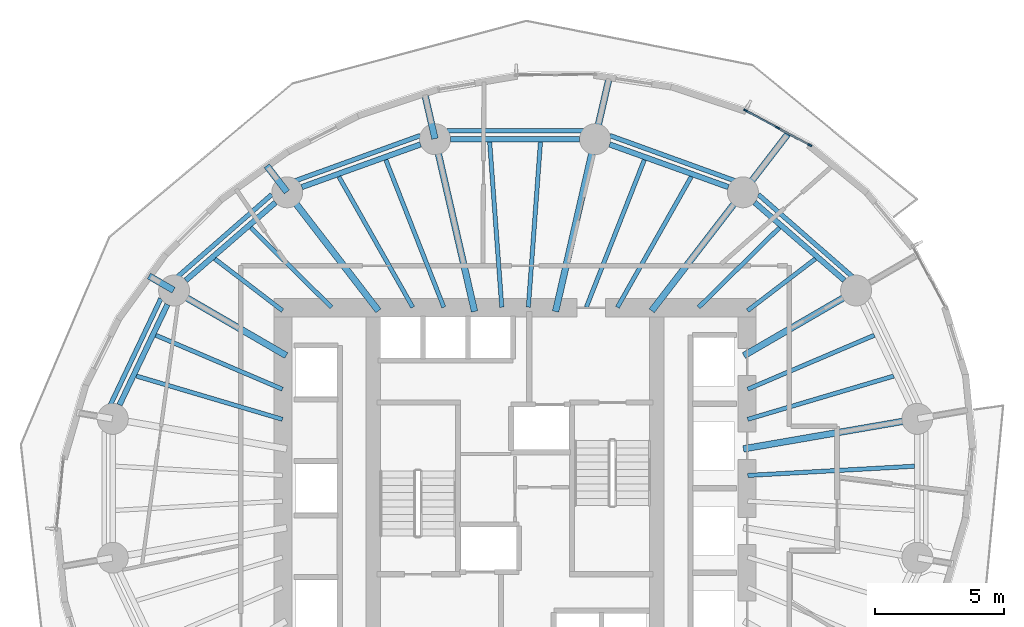
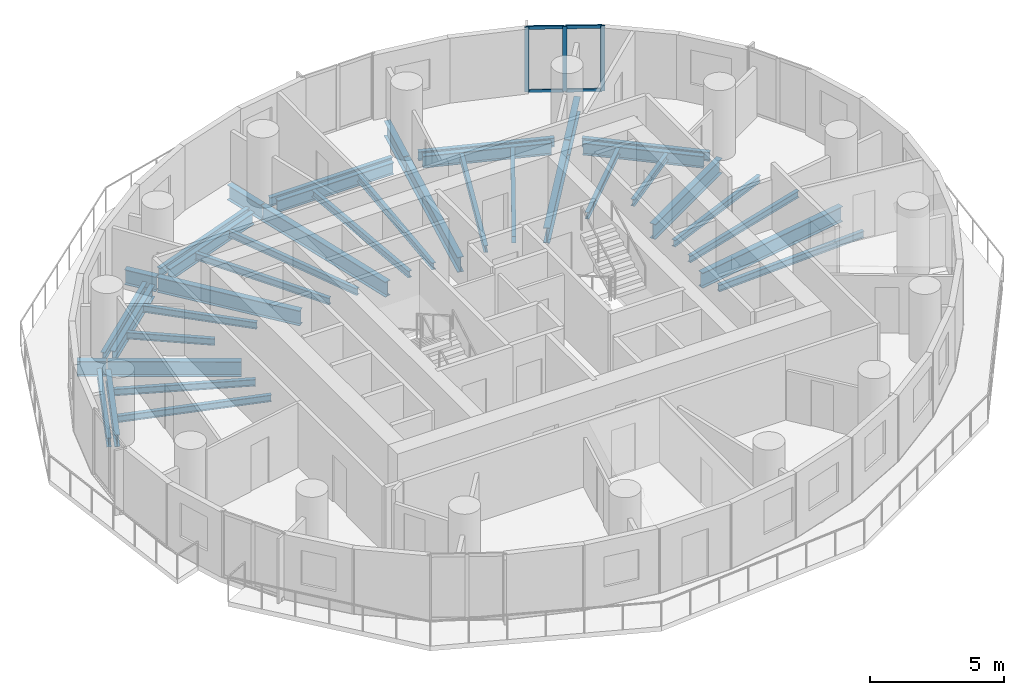
# One storey, part 4 of 14: 39 beams, 7 members, 1 element without a shape of its own.
"""IFC4 building model written with IfcOpenShell, lengths in metres."""

from ifc_helpers import new_model, si_unit, direction, frame, origin, origin_2d, place, context, subcontext, project, spatial, rectangle, i_section, extrude, material, material_profile, profile_set, type_object, element, aggregate, save


model = new_model("IFC4")

# Units and contexts
model_context = context("Model", 3, precision=1e-05, world=origin(), true_north=direction((0.0, 1.0)))
body_context = subcontext(model_context, "Body", "Model", "MODEL_VIEW")
ifc_project = project(units=[si_unit("LENGTHUNIT", "METRE"), si_unit("AREAUNIT", "SQUARE_METRE"), si_unit("VOLUMEUNIT", "CUBIC_METRE"), si_unit("PLANEANGLEUNIT", "RADIAN"), si_unit("MASSUNIT", "GRAM", prefix="KILO")], contexts=[model_context])

# Site, building, storey
site_placement = place(None, origin())
site = spatial("IfcSite", under=ifc_project, at=site_placement, CompositionType="ELEMENT")
building_placement = place(site_placement, origin())
building = spatial("IfcBuilding", under=site, at=building_placement, Name="Veldorim Arch Residences", CompositionType="ELEMENT")
storey_placement = place(building_placement, frame((0.0, 0.0, 93.280029296875)))
storey = spatial("IfcBuildingStorey", under=building, at=storey_placement, Name="L27", CompositionType="ELEMENT", Elevation=93.280029296875)

# Beams
ifc_material_1 = material(Name="Steel S355", Category="steel")
ifc_material_profile_1 = material_profile(ifc_material_1, i_section(OverallWidth=0.2119140625, OverallDepth=0.54443359375, WebThickness=0.0126953125, FlangeThickness=0.021240234375, at=origin_2d()), Name="UB533x210x122")
ifc_profile_set_1 = profile_set([ifc_material_profile_1], Name="Steel S355")
beam_type_1 = type_object("IfcBeamType", Name="Structural Steel Beam UB533x210x122", PredefinedType="BEAM", material=ifc_profile_set_1)
beam_1_placement = place(storey_placement, frame((44.767333984375, 32.060302734375, -0.51220703125), z_axis=(-0.755244952556, 0.655442645576, 0.0), x_axis=(-0.655442645576, -0.755244952556, 0.0)))
element("IfcBeam", 1, at=beam_1_placement, inside=storey, type_object=beam_type_1, Name="L27 perimeter ring tie beam 02", PredefinedType="BEAM", context=body_context, shape_type="SweptSolid", body=[
    extrude(i_section(OverallWidth=0.2119140625, OverallDepth=0.54443359375, WebThickness=0.0126953125, FlangeThickness=0.021240234375, at=origin_2d()), origin(), (0.0, 0.0, 1.0), 4.608642578125),
])
beam_2_placement = place(storey_placement, frame((40.26904296875, 35.67724609375, -0.51220703125), z_axis=(-0.941041944493, 0.338289903343, 0.0), x_axis=(-0.338289903343, -0.941041944493, 0.0)))
element("IfcBeam", 2, at=beam_2_placement, inside=storey, type_object=beam_type_1, Name="L27 perimeter ring tie beam 03", PredefinedType="BEAM", context=body_context, shape_type="SweptSolid", body=[
    extrude(i_section(OverallWidth=0.2119140625, OverallDepth=0.54443359375, WebThickness=0.0126953125, FlangeThickness=0.021240234375, at=origin_2d()), origin(), (0.0, 0.0, 1.0), 4.890869140625),
])
beam_3_placement = place(storey_placement, frame((34.501953125, 37.534912109375, -0.51220703125), z_axis=(-1.0, 0.0, 0.0), x_axis=(0.0, -1.0, 0.0)))
element("IfcBeam", 3, at=beam_3_placement, inside=storey, type_object=beam_type_1, Name="L27 perimeter ring tie beam 04", PredefinedType="BEAM", context=body_context, shape_type="SweptSolid", body=[
    extrude(i_section(OverallWidth=0.2119140625, OverallDepth=0.54443359375, WebThickness=0.0126953125, FlangeThickness=0.021240234375, at=origin_2d()), origin(), (0.0, 0.0, 1.0), 5.00390625),
])
beam_4_placement = place(storey_placement, frame((28.33349609375, 37.331787109375, -0.51220703125), z_axis=(-0.941041944493, -0.338289903343, 0.0), x_axis=(0.338289903343, -0.941041944493, 0.0)))
element("IfcBeam", 4, at=beam_4_placement, inside=storey, type_object=beam_type_1, Name="L27 perimeter ring tie beam 05", PredefinedType="BEAM", context=body_context, shape_type="SweptSolid", body=[
    extrude(i_section(OverallWidth=0.2119140625, OverallDepth=0.54443359375, WebThickness=0.0126953125, FlangeThickness=0.021240234375, at=origin_2d()), origin(), (0.0, 0.0, 1.0), 4.890869140625),
])
beam_5_placement = place(storey_placement, frame((22.71337890625, 35.0810546875, -0.51220703125), z_axis=(-0.755244952556, -0.655442645576, 0.0), x_axis=(0.655442645576, -0.755244952556, 0.0)))
element("IfcBeam", 5, at=beam_5_placement, inside=storey, type_object=beam_type_1, Name="L27 perimeter ring tie beam 06", PredefinedType="BEAM", context=body_context, shape_type="SweptSolid", body=[
    extrude(i_section(OverallWidth=0.2119140625, OverallDepth=0.54443359375, WebThickness=0.0126953125, FlangeThickness=0.021240234375, at=origin_2d()), origin(), (0.0, 0.0, 1.0), 4.608642578125),
])
beam_6_placement = place(storey_placement, frame((18.521240234375, 31.12548828125, -0.51220703125), z_axis=(-0.430720154476, -0.902485539235, 0.0), x_axis=(0.902485539235, -0.430720154476, 0.0)))
element("IfcBeam", 6, at=beam_6_placement, inside=storey, type_object=beam_type_1, Name="L27 perimeter ring tie beam 07", PredefinedType="BEAM", context=body_context, shape_type="SweptSolid", body=[
    extrude(i_section(OverallWidth=0.2119140625, OverallDepth=0.54443359375, WebThickness=0.0126953125, FlangeThickness=0.021240234375, at=origin_2d()), origin(), (0.0, 0.0, 1.0), 4.312255859375),
])
ifc_material_2 = material(Name="Steel S355", Category="steel")
ifc_material_profile_2 = material_profile(ifc_material_2, i_section(OverallWidth=0.25439453125, OverallDepth=0.6875, WebThickness=0.01318359375, FlangeThickness=0.02099609375, at=origin_2d()), Name="UB686x254x152")
ifc_profile_set_2 = profile_set([ifc_material_profile_2], Name="Steel S355")
beam_type_2 = type_object("IfcBeamType", Name="Structural Steel GIRDER UB686x254x152", PredefinedType="USERDEFINED", material=ifc_profile_set_2)
beam_7_placement = place(storey_placement, frame((40.852294921875, 25.5283203125, -0.583740234375), z_axis=(0.985426622718, 0.17010106184, 0.0), x_axis=(-0.17010106184, 0.985426622718, 0.0)))
element("IfcBeam", 7, at=beam_7_placement, inside=storey, type_object=beam_type_2, Name="L27 radial floor girder 01", ObjectType="GIRDER", PredefinedType="USERDEFINED", context=body_context, shape_type="SweptSolid", body=[
    extrude(i_section(OverallWidth=0.25439453125, OverallDepth=0.6875, WebThickness=0.01318359375, FlangeThickness=0.02099609375, at=origin_2d()), origin(), (0.0, 0.0, 1.0), 6.82177734375),
])
beam_8_placement = place(storey_placement, frame((40.8701171875, 29.14404296875, -0.583740234375), z_axis=(0.865048957682, 0.501687453314, 0.0), x_axis=(-0.501687453314, 0.865048957682, 0.0)))
element("IfcBeam", 8, at=beam_8_placement, inside=storey, type_object=beam_type_2, Name="L27 radial floor girder 02", ObjectType="GIRDER", PredefinedType="USERDEFINED", context=body_context, shape_type="SweptSolid", body=[
    extrude(i_section(OverallWidth=0.25439453125, OverallDepth=0.6875, WebThickness=0.01318359375, FlangeThickness=0.02099609375, at=origin_2d()), origin(), (0.0, 0.0, 1.0), 5.009033203125),
])
beam_9_placement = place(storey_placement, frame((37.297607421875, 30.881103515625, -0.583740234375), z_axis=(0.609994628196, 0.792405548676, 0.0), x_axis=(-0.792405548676, 0.609994628196, 0.0)))
element("IfcBeam", 9, at=beam_9_placement, inside=storey, type_object=beam_type_2, Name="L27 radial floor girder 03", ObjectType="GIRDER", PredefinedType="USERDEFINED", context=body_context, shape_type="SweptSolid", body=[
    extrude(i_section(OverallWidth=0.25439453125, OverallDepth=0.6875, WebThickness=0.01318359375, FlangeThickness=0.02099609375, at=origin_2d()), origin(), (0.0, 0.0, 1.0), 5.776611328125),
])
beam_10_placement = place(storey_placement, frame((40.845703125, 35.489990234375, -0.583740234375), z_axis=(0.610012928727, 0.792391460571, 0.0), x_axis=(-0.792391460571, 0.610012928727, 0.0)))
element("IfcBeam", 10, at=beam_10_placement, inside=storey, type_object=beam_type_2, Name="L27 radial edge cantilever girder 03", ObjectType="GIRDER", PredefinedType="USERDEFINED", context=body_context, shape_type="SweptSolid", body=[
    extrude(i_section(OverallWidth=0.25439453125, OverallDepth=0.6875, WebThickness=0.01318359375, FlangeThickness=0.02099609375, at=origin_2d()), origin(), (0.0, 0.0, 1.0), 2.85009765625),
])
beam_11_placement = place(storey_placement, frame((33.57080078125, 30.853759765625, -0.583740234375), z_axis=(0.223374742148, 0.97473264261, 0.0), x_axis=(-0.97473264261, 0.223374742148, 0.0)))
element("IfcBeam", 11, at=beam_11_placement, inside=storey, type_object=beam_type_2, Name="L27 radial floor girder 04", ObjectType="GIRDER", PredefinedType="USERDEFINED", context=body_context, shape_type="SweptSolid", body=[
    extrude(i_section(OverallWidth=0.25439453125, OverallDepth=0.6875, WebThickness=0.01318359375, FlangeThickness=0.02099609375, at=origin_2d()), origin(), (0.0, 0.0, 1.0), 6.834228515625),
])
beam_12_placement = place(storey_placement, frame((35.1064453125, 37.55419921875, -0.583740234375), z_axis=(0.223409552983, 0.974724664526, 0.0), x_axis=(-0.974724664526, 0.223409552983, 0.0)))
element("IfcBeam", 12, at=beam_12_placement, inside=storey, type_object=beam_type_2, Name="L27 radial edge cantilever girder 04", ObjectType="GIRDER", PredefinedType="USERDEFINED", context=body_context, shape_type="SweptSolid", body=[
    extrude(i_section(OverallWidth=0.25439453125, OverallDepth=0.6875, WebThickness=0.01318359375, FlangeThickness=0.02099609375, at=origin_2d()), origin(), (0.0, 0.0, 1.0), 2.4599609375),
])
beam_13_placement = place(storey_placement, frame((30.42919921875, 30.853759765625, -0.583740234375), z_axis=(-0.223374742148, 0.97473264261, 0.0), x_axis=(-0.97473264261, -0.223374742148, 0.0)))
element("IfcBeam", 13, at=beam_13_placement, inside=storey, type_object=beam_type_2, Name="L27 radial floor girder 05", ObjectType="GIRDER", PredefinedType="USERDEFINED", context=body_context, shape_type="SweptSolid", body=[
    extrude(i_section(OverallWidth=0.25439453125, OverallDepth=0.6875, WebThickness=0.01318359375, FlangeThickness=0.02099609375, at=origin_2d()), origin(), (0.0, 0.0, 1.0), 6.834228515625),
])
beam_14_placement = place(storey_placement, frame((28.8935546875, 37.55419921875, -0.583740234375), z_axis=(-0.223360224224, 0.974735969499, 0.0), x_axis=(-0.974735969499, -0.223360224224, 0.0)))
element("IfcBeam", 14, at=beam_14_placement, inside=storey, type_object=beam_type_2, Name="L27 radial edge cantilever girder 05", ObjectType="GIRDER", PredefinedType="USERDEFINED", context=body_context, shape_type="SweptSolid", body=[
    extrude(i_section(OverallWidth=0.25439453125, OverallDepth=0.6875, WebThickness=0.01318359375, FlangeThickness=0.02099609375, at=origin_2d()), origin(), (0.0, 0.0, 1.0), 1.81982421875),
])
beam_15_placement = place(storey_placement, frame((26.702392578125, 30.881103515625, -0.583740234375), z_axis=(-0.609994628196, 0.792405548676, 0.0), x_axis=(-0.792405548676, -0.609994628196, 0.0)))
element("IfcBeam", 15, at=beam_15_placement, inside=storey, type_object=beam_type_2, Name="L27 radial floor girder 06", ObjectType="GIRDER", PredefinedType="USERDEFINED", context=body_context, shape_type="SweptSolid", body=[
    extrude(i_section(OverallWidth=0.25439453125, OverallDepth=0.6875, WebThickness=0.01318359375, FlangeThickness=0.02099609375, at=origin_2d()), origin(), (0.0, 0.0, 1.0), 5.776611328125),
])
beam_16_placement = place(storey_placement, frame((23.154296875, 35.489990234375, -0.583740234375), z_axis=(-0.609941382305, 0.79244653457, 0.0), x_axis=(-0.79244653457, -0.609941382305, 0.0)))
element("IfcBeam", 16, at=beam_16_placement, inside=storey, type_object=beam_type_2, Name="L27 radial edge cantilever girder 06", ObjectType="GIRDER", PredefinedType="USERDEFINED", context=body_context, shape_type="SweptSolid", body=[
    extrude(i_section(OverallWidth=0.25439453125, OverallDepth=0.6875, WebThickness=0.01318359375, FlangeThickness=0.02099609375, at=origin_2d()), origin(), (0.0, 0.0, 1.0), 1.27880859375),
])
beam_17_placement = place(storey_placement, frame((23.1298828125, 29.14404296875, -0.583740234375), z_axis=(-0.865048957682, 0.501687453314, 0.0), x_axis=(-0.501687453314, -0.865048957682, 0.0)))
element("IfcBeam", 17, at=beam_17_placement, inside=storey, type_object=beam_type_2, Name="L27 radial floor girder 07", ObjectType="GIRDER", PredefinedType="USERDEFINED", context=body_context, shape_type="SweptSolid", body=[
    extrude(i_section(OverallWidth=0.25439453125, OverallDepth=0.6875, WebThickness=0.01318359375, FlangeThickness=0.02099609375, at=origin_2d()), origin(), (0.0, 0.0, 1.0), 5.009033203125),
])
beam_18_placement = place(storey_placement, frame((18.76220703125, 31.677001953125, -0.583740234375), z_axis=(-0.86508299699, 0.501628755474, 0.0), x_axis=(-0.501628755474, -0.86508299699, 0.0)))
element("IfcBeam", 18, at=beam_18_placement, inside=storey, type_object=beam_type_2, Name="L27 radial edge cantilever girder 07", ObjectType="GIRDER", PredefinedType="USERDEFINED", context=body_context, shape_type="SweptSolid", body=[
    extrude(i_section(OverallWidth=0.25439453125, OverallDepth=0.6875, WebThickness=0.01318359375, FlangeThickness=0.02099609375, at=origin_2d()), origin(), (0.0, 0.0, 1.0), 1.104248046875),
])
ifc_material_3 = material(Name="Steel S355", Category="steel")
ifc_material_profile_3 = material_profile(ifc_material_3, i_section(OverallWidth=0.165771484375, OverallDepth=0.306640625, WebThickness=0.006591796875, FlangeThickness=0.01171875, at=origin_2d()), Name="UB305x165x46")
ifc_profile_set_3 = profile_set([ifc_material_profile_3], Name="Steel S355")
beam_type_3 = type_object("IfcBeamType", Name="Structural Steel Joist UB305x165x46", PredefinedType="JOIST", material=ifc_profile_set_3)
beam_19_placement = place(storey_placement, frame((41.019287109375, 26.673583984375, -0.393310546875), z_axis=(0.958753061488, 0.284240333324, 0.0), x_axis=(-0.284240333324, 0.958753061488, 0.0)))
element("IfcBeam", 19, at=beam_19_placement, inside=storey, type_object=beam_type_3, Name="L27 secondary radial floor joist 01-1", PredefinedType="JOIST", context=body_context, shape_type="SweptSolid", body=[
    extrude(i_section(OverallWidth=0.165771484375, OverallDepth=0.306640625, WebThickness=0.006591796875, FlangeThickness=0.01171875, at=origin_2d()), origin(), (0.0, 0.0, 1.0), 5.906005859375),
])
beam_20_placement = place(storey_placement, frame((41.018310546875, 27.841552734375, -0.393310546875), z_axis=(0.919997395122, 0.391924473552, 0.0), x_axis=(-0.391924473552, 0.919997395122, 0.0)))
element("IfcBeam", 20, at=beam_20_placement, inside=storey, type_object=beam_type_3, Name="L27 secondary radial floor joist 01-2", PredefinedType="JOIST", context=body_context, shape_type="SweptSolid", body=[
    extrude(i_section(OverallWidth=0.165771484375, OverallDepth=0.306640625, WebThickness=0.006591796875, FlangeThickness=0.01171875, at=origin_2d()), origin(), (0.0, 0.0, 1.0), 5.334716796875),
])
beam_21_placement = place(storey_placement, frame((41.015869140625, 30.888427734375, -0.393310546875), z_axis=(0.794594763594, 0.60714014994, 0.0), x_axis=(-0.60714014994, 0.794594763594, 0.0)))
element("IfcBeam", 21, at=beam_21_placement, inside=storey, type_object=beam_type_3, Name="L27 secondary radial floor joist 02-1", PredefinedType="JOIST", context=body_context, shape_type="SweptSolid", body=[
    extrude(i_section(OverallWidth=0.165771484375, OverallDepth=0.306640625, WebThickness=0.006591796875, FlangeThickness=0.01171875, at=origin_2d()), origin(), (0.0, 0.0, 1.0), 3.30419921875),
])
beam_22_placement = place(storey_placement, frame((39.114013671875, 31.013916015625, -0.393310546875), z_axis=(0.712111629941, 0.702066255066, 0.0), x_axis=(-0.702066255066, 0.712111629941, 0.0)))
element("IfcBeam", 22, at=beam_22_placement, inside=storey, type_object=beam_type_3, Name="L27 secondary radial floor joist 02-2", PredefinedType="JOIST", context=body_context, shape_type="SweptSolid", body=[
    extrude(i_section(OverallWidth=0.165771484375, OverallDepth=0.306640625, WebThickness=0.006591796875, FlangeThickness=0.01171875, at=origin_2d()), origin(), (0.0, 0.0, 1.0), 4.39892578125),
])
beam_23_placement = place(storey_placement, frame((35.96826171875, 31.017333984375, -0.393310546875), z_axis=(0.492227411199, 0.870466642476, 0.0), x_axis=(-0.870466642476, 0.492227411199, 0.0)))
element("IfcBeam", 23, at=beam_23_placement, inside=storey, type_object=beam_type_3, Name="L27 secondary radial floor joist 03-1", PredefinedType="JOIST", context=body_context, shape_type="SweptSolid", body=[
    extrude(i_section(OverallWidth=0.165771484375, OverallDepth=0.306640625, WebThickness=0.006591796875, FlangeThickness=0.01171875, at=origin_2d()), origin(), (0.0, 0.0, 1.0), 5.81494140625),
])
beam_24_placement = place(storey_placement, frame((34.761962890625, 31.0185546875, -0.393310546875), z_axis=(0.366194870364, 0.930538186707, 0.0), x_axis=(-0.930538186707, 0.366194870364, 0.0)))
element("IfcBeam", 24, at=beam_24_placement, inside=storey, type_object=beam_type_3, Name="L27 secondary radial floor joist 03-2", PredefinedType="JOIST", context=body_context, shape_type="SweptSolid", body=[
    extrude(i_section(OverallWidth=0.165771484375, OverallDepth=0.306640625, WebThickness=0.006591796875, FlangeThickness=0.01171875, at=origin_2d()), origin(), (0.0, 0.0, 1.0), 6.1396484375),
])
for number, where, z_axis, x_axis, name in (
    (25, (32.514892578125, 31.02001953125, -0.393310546875), (0.073143494169, 0.997321427254, 0.0), (-0.997321427254, 0.073143494169, 0.0), "L27 secondary radial floor joist 04-1"),
    (26, (31.485107421875, 31.02001953125, -0.393310546875), (-0.073143494169, 0.997321427254, 0.0), (-0.997321427254, -0.073143494169, 0.0), "L27 secondary radial floor joist 04-2"),
):
    element("IfcBeam", number, at=place(storey_placement, frame(where, z_axis=z_axis, x_axis=x_axis)), inside=storey, type_object=beam_type_3, Name=name, PredefinedType="JOIST", context=body_context, shape_type="SweptSolid", body=[
        extrude(i_section(OverallWidth=0.165771484375, OverallDepth=0.306640625, WebThickness=0.006591796875, FlangeThickness=0.01171875, at=origin_2d()), origin(), (0.0, 0.0, 1.0), 6.421875),
    ])
beam_25_placement = place(storey_placement, frame((29.238037109375, 31.0185546875, -0.393310546875), z_axis=(-0.366194870364, 0.930538186707, 0.0), x_axis=(-0.930538186707, -0.366194870364, 0.0)))
element("IfcBeam", 27, at=beam_25_placement, inside=storey, type_object=beam_type_3, Name="L27 secondary radial floor joist 05-1", PredefinedType="JOIST", context=body_context, shape_type="SweptSolid", body=[
    extrude(i_section(OverallWidth=0.165771484375, OverallDepth=0.306640625, WebThickness=0.006591796875, FlangeThickness=0.01171875, at=origin_2d()), origin(), (0.0, 0.0, 1.0), 6.1396484375),
])
beam_26_placement = place(storey_placement, frame((28.03173828125, 31.017333984375, -0.393310546875), z_axis=(-0.492227411199, 0.870466642476, 0.0), x_axis=(-0.870466642476, -0.492227411199, 0.0)))
element("IfcBeam", 28, at=beam_26_placement, inside=storey, type_object=beam_type_3, Name="L27 secondary radial floor joist 05-2", PredefinedType="JOIST", context=body_context, shape_type="SweptSolid", body=[
    extrude(i_section(OverallWidth=0.165771484375, OverallDepth=0.306640625, WebThickness=0.006591796875, FlangeThickness=0.01171875, at=origin_2d()), origin(), (0.0, 0.0, 1.0), 5.81494140625),
])
beam_27_placement = place(storey_placement, frame((24.885986328125, 31.013916015625, -0.393310546875), z_axis=(-0.712111629941, 0.702066255066, 0.0), x_axis=(-0.702066255066, -0.712111629941, 0.0)))
element("IfcBeam", 29, at=beam_27_placement, inside=storey, type_object=beam_type_3, Name="L27 secondary radial floor joist 06-1", PredefinedType="JOIST", context=body_context, shape_type="SweptSolid", body=[
    extrude(i_section(OverallWidth=0.165771484375, OverallDepth=0.306640625, WebThickness=0.006591796875, FlangeThickness=0.01171875, at=origin_2d()), origin(), (0.0, 0.0, 1.0), 4.39892578125),
])
beam_28_placement = place(storey_placement, frame((22.984130859375, 30.888427734375, -0.393310546875), z_axis=(-0.794594763594, 0.60714014994, 0.0), x_axis=(-0.60714014994, -0.794594763594, 0.0)))
element("IfcBeam", 30, at=beam_28_placement, inside=storey, type_object=beam_type_3, Name="L27 secondary radial floor joist 06-2", PredefinedType="JOIST", context=body_context, shape_type="SweptSolid", body=[
    extrude(i_section(OverallWidth=0.165771484375, OverallDepth=0.306640625, WebThickness=0.006591796875, FlangeThickness=0.01171875, at=origin_2d()), origin(), (0.0, 0.0, 1.0), 3.30419921875),
])
beam_29_placement = place(storey_placement, frame((22.981689453125, 27.841552734375, -0.393310546875), z_axis=(-0.919997395122, 0.391924473552, 0.0), x_axis=(-0.391924473552, -0.919997395122, 0.0)))
element("IfcBeam", 31, at=beam_29_placement, inside=storey, type_object=beam_type_3, Name="L27 secondary radial floor joist 07-1", PredefinedType="JOIST", context=body_context, shape_type="SweptSolid", body=[
    extrude(i_section(OverallWidth=0.165771484375, OverallDepth=0.306640625, WebThickness=0.006591796875, FlangeThickness=0.01171875, at=origin_2d()), origin(), (0.0, 0.0, 1.0), 5.334716796875),
])
beam_30_placement = place(storey_placement, frame((22.980712890625, 26.673583984375, -0.393310546875), z_axis=(-0.958753061488, 0.284240333324, 0.0), x_axis=(-0.284240333324, -0.958753061488, 0.0)))
element("IfcBeam", 32, at=beam_30_placement, inside=storey, type_object=beam_type_3, Name="L27 secondary radial floor joist 07-2", PredefinedType="JOIST", context=body_context, shape_type="SweptSolid", body=[
    extrude(i_section(OverallWidth=0.165771484375, OverallDepth=0.306640625, WebThickness=0.006591796875, FlangeThickness=0.01171875, at=origin_2d()), origin(), (0.0, 0.0, 1.0), 5.906005859375),
])
beam_31_placement = place(storey_placement, frame((41.02001953125, 24.498291015625, -0.393310546875), z_axis=(0.99847713097, 0.055167190702, 0.0), x_axis=(-0.055167190702, 0.99847713097, 0.0)))
element("IfcBeam", 33, at=beam_31_placement, inside=storey, type_object=beam_type_3, Name="L27 secondary radial floor joist 16-2", PredefinedType="JOIST", context=body_context, shape_type="SweptSolid", body=[
    extrude(i_section(OverallWidth=0.165771484375, OverallDepth=0.306640625, WebThickness=0.006591796875, FlangeThickness=0.01171875, at=origin_2d()), origin(), (0.0, 0.0, 1.0), 6.474365234375),
])
ifc_material_4 = material(Name="Steel S355", Category="steel")
ifc_material_profile_4 = material_profile(ifc_material_4, i_section(OverallWidth=0.1787109375, OverallDepth=0.409423828125, WebThickness=0.0087890625, FlangeThickness=0.014404296875, at=origin_2d()), Name="UB406x178x67")
ifc_profile_set_4 = profile_set([ifc_material_profile_4], Name="Steel S355")
beam_type_4 = type_object("IfcBeamType", Name="Structural Steel Spandrel UB406x178x67", PredefinedType="SPANDREL", material=ifc_profile_set_4)
beam_32_placement = place(storey_placement, frame((45.108154296875, 32.1796875, -0.46484375), z_axis=(-0.753323239074, 0.65765043714, 0.0), x_axis=(-0.65765043714, -0.753323239074, 0.0)))
element("IfcBeam", 34, at=beam_32_placement, inside=storey, type_object=beam_type_4, Name="L27 perimeter chord spandrel beam 02", PredefinedType="SPANDREL", context=body_context, shape_type="SweptSolid", body=[
    extrude(i_section(OverallWidth=0.1787109375, OverallDepth=0.409423828125, WebThickness=0.0087890625, FlangeThickness=0.014404296875, at=origin_2d()), origin(), (0.0, 0.0, 1.0), 4.879150390625),
])
beam_33_placement = place(storey_placement, frame((40.538330078125, 35.91552734375, -0.46484375), z_axis=(-0.940307501418, 0.340326024244, 0.0), x_axis=(-0.340326024244, -0.940307501418, 0.0)))
element("IfcBeam", 35, at=beam_33_placement, inside=storey, type_object=beam_type_4, Name="L27 perimeter chord spandrel beam 03", PredefinedType="SPANDREL", context=body_context, shape_type="SweptSolid", body=[
    extrude(i_section(OverallWidth=0.1787109375, OverallDepth=0.409423828125, WebThickness=0.0087890625, FlangeThickness=0.014404296875, at=origin_2d()), origin(), (0.0, 0.0, 1.0), 5.175048828125),
])
beam_34_placement = place(storey_placement, frame((34.647705078125, 37.8564453125, -0.46484375), z_axis=(-1.0, 0.0, 0.0), x_axis=(0.0, -1.0, 0.0)))
element("IfcBeam", 36, at=beam_34_placement, inside=storey, type_object=beam_type_4, Name="L27 perimeter chord spandrel beam 04", PredefinedType="SPANDREL", context=body_context, shape_type="SweptSolid", body=[
    extrude(i_section(OverallWidth=0.1787109375, OverallDepth=0.409423828125, WebThickness=0.0087890625, FlangeThickness=0.014404296875, at=origin_2d()), origin(), (0.0, 0.0, 1.0), 5.29541015625),
])
beam_35_placement = place(storey_placement, frame((28.327880859375, 37.6767578125, -0.46484375), z_axis=(-0.940307501418, -0.340326024244, 0.0), x_axis=(0.340326024244, -0.940307501418, 0.0)))
element("IfcBeam", 37, at=beam_35_placement, inside=storey, type_object=beam_type_4, Name="L27 perimeter chord spandrel beam 05", PredefinedType="SPANDREL", context=body_context, shape_type="SweptSolid", body=[
    extrude(i_section(OverallWidth=0.1787109375, OverallDepth=0.409423828125, WebThickness=0.0087890625, FlangeThickness=0.014404296875, at=origin_2d()), origin(), (0.0, 0.0, 1.0), 5.175048828125),
])
beam_36_placement = place(storey_placement, frame((22.5673828125, 35.388427734375, -0.46484375), z_axis=(-0.753323239074, -0.65765043714, 0.0), x_axis=(0.65765043714, -0.753323239074, 0.0)))
element("IfcBeam", 38, at=beam_36_placement, inside=storey, type_object=beam_type_4, Name="L27 perimeter chord spandrel beam 06", PredefinedType="SPANDREL", context=body_context, shape_type="SweptSolid", body=[
    extrude(i_section(OverallWidth=0.1787109375, OverallDepth=0.409423828125, WebThickness=0.0087890625, FlangeThickness=0.014404296875, at=origin_2d()), origin(), (0.0, 0.0, 1.0), 4.879150390625),
])
beam_37_placement = place(storey_placement, frame((18.267578125, 31.35546875, -0.46484375), z_axis=(-0.428857472204, -0.903372165021, 0.0), x_axis=(0.903372165021, -0.428857472204, 0.0)))
element("IfcBeam", 39, at=beam_37_placement, inside=storey, type_object=beam_type_4, Name="L27 perimeter chord spandrel beam 07", PredefinedType="SPANDREL", context=body_context, shape_type="SweptSolid", body=[
    extrude(i_section(OverallWidth=0.1787109375, OverallDepth=0.409423828125, WebThickness=0.0087890625, FlangeThickness=0.014404296875, at=origin_2d()), origin(), (0.0, 0.0, 1.0), 4.572021484375),
])

# Curtain wall, members
ifc_material_5 = material(Name="Aluminium", Category="aluminium")
curtain_wall_type = type_object("IfcCurtainWallType", Name="Zone 2 Solar-Control Unitised Curtain Wall", PredefinedType="NOTDEFINED", material=ifc_material_5)
curtain_wall_placement = place(storey_placement, origin())
curtain_wall = element("IfcCurtainWall", 40, at=curtain_wall_placement, inside=storey, type_object=curtain_wall_type, Name="L27 unitised curtain wall bay 04", PredefinedType="NOTDEFINED")
ifc_material_6 = material(Name="Aluminium", Category="aluminium")
ifc_material_profile_5 = material_profile(ifc_material_6, rectangle(XDim=0.06494140625, YDim=0.1650390625, at=origin_2d()), Name="ALU_MUL_65x165")
ifc_profile_set_5 = profile_set([ifc_material_profile_5], Name="Aluminium")
member_type_1 = type_object("IfcMemberType", Name="Zone 2 Solar-Control Unitised Curtain Wall Mullion 65x165", PredefinedType="MULLION", material=ifc_profile_set_5)
member_1_placement = place(storey_placement, frame((40.93359375, 38.65185546875, 0.0), z_axis=(0.0, 0.0, 1.0), x_axis=(0.476096408895, 0.879393091534, 0.0)))
member_1 = element("IfcMember", 41, at=member_1_placement, type_object=member_type_1, Name="CW-Z2 mullion 1", PredefinedType="MULLION", context=body_context, shape_type="SweptSolid", body=[
    extrude(rectangle(XDim=0.06494140625, YDim=0.1650390625, at=origin_2d()), origin(), (0.0, 0.0, 1.0), 2.9599609375),
])
member_2_placement = place(storey_placement, frame((42.179443359375, 37.9775390625, 0.0), z_axis=(0.0, 0.0, 1.0), x_axis=(0.476096408895, 0.879393091534, 0.0)))
member_2 = element("IfcMember", 42, at=member_2_placement, type_object=member_type_1, Name="CW-Z2 mullion 2", PredefinedType="MULLION", context=body_context, shape_type="SweptSolid", body=[
    extrude(rectangle(XDim=0.06494140625, YDim=0.1650390625, at=origin_2d()), origin(), (0.0, 0.0, 1.0), 2.9599609375),
])
member_3_placement = place(storey_placement, frame((43.42529296875, 37.302978515625, 0.0), z_axis=(0.0, 0.0, 1.0), x_axis=(0.476096408895, 0.879393091534, 0.0)))
member_3 = element("IfcMember", 43, at=member_3_placement, type_object=member_type_1, Name="CW-Z2 mullion 3", PredefinedType="MULLION", context=body_context, shape_type="SweptSolid", body=[
    extrude(rectangle(XDim=0.06494140625, YDim=0.1650390625, at=origin_2d()), origin(), (0.0, 0.0, 1.0), 2.9599609375),
])
ifc_material_7 = material(Name="Aluminium", Category="aluminium")
ifc_material_profile_6 = material_profile(ifc_material_7, rectangle(XDim=0.06494140625, YDim=0.14501953125, at=origin_2d()), Name="ALU_TRN_65x145")
ifc_profile_set_6 = profile_set([ifc_material_profile_6], Name="Aluminium")
member_type_2 = type_object("IfcMemberType", Name="Zone 2 Solar-Control Unitised Curtain Wall Transom 65x145", PredefinedType="USERDEFINED", material=ifc_profile_set_6)
member_4_placement = place(storey_placement, frame((40.962158203125, 38.636474609375, 0.032470703125), z_axis=(0.879395948535, -0.476091131718, 0.0), x_axis=(0.476091131718, 0.879395948535, 0.0)))
member_4 = element("IfcMember", 44, at=member_4_placement, type_object=member_type_2, Name="CW-Z2 transom 1.1", ObjectType="TRANSOM", PredefinedType="USERDEFINED", context=body_context, shape_type="SweptSolid", body=[
    extrude(rectangle(XDim=0.06494140625, YDim=0.14501953125, at=origin_2d()), origin(), (0.0, 0.0, 1.0), 1.351806640625),
])
member_5_placement = place(storey_placement, frame((40.962158203125, 38.636474609375, 2.927490234375), z_axis=(0.879395948535, -0.476091131718, 0.0), x_axis=(0.476091131718, 0.879395948535, 0.0)))
member_5 = element("IfcMember", 45, at=member_5_placement, type_object=member_type_2, Name="CW-Z2 transom 1.2", ObjectType="TRANSOM", PredefinedType="USERDEFINED", context=body_context, shape_type="SweptSolid", body=[
    extrude(rectangle(XDim=0.06494140625, YDim=0.14501953125, at=origin_2d()), origin(), (0.0, 0.0, 1.0), 1.351806640625),
])
member_6_placement = place(storey_placement, frame((42.2080078125, 37.9619140625, 0.032470703125), z_axis=(0.879395948535, -0.476091131718, 0.0), x_axis=(0.476091131718, 0.879395948535, 0.0)))
member_6 = element("IfcMember", 46, at=member_6_placement, type_object=member_type_2, Name="CW-Z2 transom 2.1", ObjectType="TRANSOM", PredefinedType="USERDEFINED", context=body_context, shape_type="SweptSolid", body=[
    extrude(rectangle(XDim=0.06494140625, YDim=0.14501953125, at=origin_2d()), origin(), (0.0, 0.0, 1.0), 1.351806640625),
])
member_7_placement = place(storey_placement, frame((42.2080078125, 37.9619140625, 2.927490234375), z_axis=(0.879395948535, -0.476091131718, 0.0), x_axis=(0.476091131718, 0.879395948535, 0.0)))
member_7 = element("IfcMember", 47, at=member_7_placement, type_object=member_type_2, Name="CW-Z2 transom 2.2", ObjectType="TRANSOM", PredefinedType="USERDEFINED", context=body_context, shape_type="SweptSolid", body=[
    extrude(rectangle(XDim=0.06494140625, YDim=0.14501953125, at=origin_2d()), origin(), (0.0, 0.0, 1.0), 1.351806640625),
])
aggregate(curtain_wall, [member_1, member_2, member_3, member_4, member_5, member_6, member_7])

save(model, "model.ifc")
